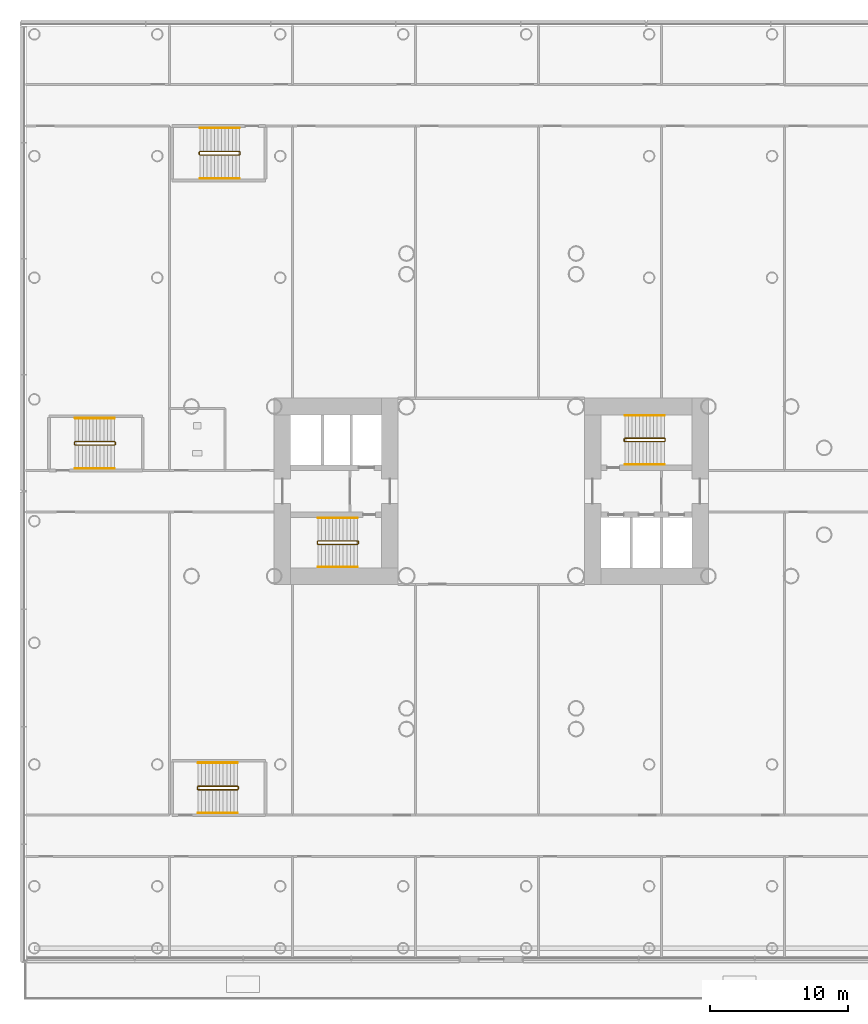
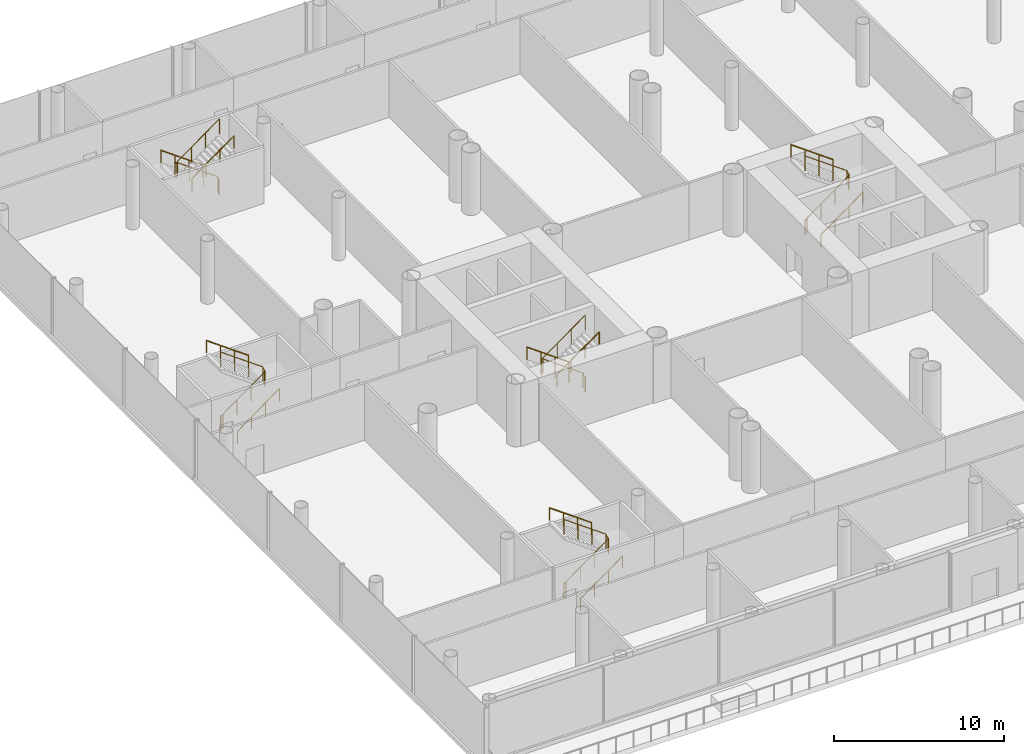
# One storey, part 48 of 51: 15 railings.
"""IFC4 building model written with IfcOpenShell, lengths in metres."""

from ifc_helpers import new_model, si_unit, direction, frame, origin, origin_2d, place, context, subcontext, project, spatial, circle, extrude, material, type_object, element, save


model = new_model("IFC4")

# Units and contexts
model_context = context("Model", 3, precision=1e-05, world=origin(), true_north=direction((0.0, 1.0)))
body_context = subcontext(model_context, "Body", "Model", "MODEL_VIEW")
ifc_project = project(units=[si_unit("LENGTHUNIT", "METRE"), si_unit("AREAUNIT", "SQUARE_METRE"), si_unit("VOLUMEUNIT", "CUBIC_METRE"), si_unit("PLANEANGLEUNIT", "RADIAN"), si_unit("MASSUNIT", "GRAM", prefix="KILO")], contexts=[model_context])

# Site, building, storey
site_placement = place(None, origin())
site = spatial("IfcSite", under=ifc_project, at=site_placement, CompositionType="ELEMENT")
building_placement = place(site_placement, origin())
building = spatial("IfcBuilding", under=site, at=building_placement, Name="Ipe Terrace Towers", CompositionType="ELEMENT")
storey_placement = place(building_placement, frame((0.0, 0.0, 15.5)))
storey = spatial("IfcBuildingStorey", under=building, at=storey_placement, Name="L03", CompositionType="ELEMENT", Elevation=15.5)

# Railings
ifc_material_1 = material(Name="Steel S355", Category="steel")
railing_type_1 = type_object("IfcRailingType", Name="Stair guard 1100", PredefinedType="GUARDRAIL", material=ifc_material_1)
railing_1_placement = place(storey_placement, frame((-26.35009765625, 3.800048828125, 0.0)))
element("IfcRailing", 1, at=railing_1_placement, inside=storey, type_object=railing_type_1, Name="L03 T1-ST1 stair guard 1", PredefinedType="GUARDRAIL", context=body_context, shape_type="SweptSolid", body=[
    extrude(circle(Radius=0.02392578125, at=origin_2d()), frame((0.0, 0.0, 1.076171875), z_axis=(0.0, -1.0, 0.0), x_axis=(1.0, 0.0, 0.0)), (0.0, 0.0, 1.0), 0.150146484375),
    extrude(circle(Radius=0.02392578125, at=origin_2d()), frame((0.0, -0.150146484375, 1.076171875), z_axis=(0.249802250048, -0.248583702486, 0.935844527007), x_axis=(0.705375805398, 0.708833529934, 0.0)), (0.0, 0.0, 1.0), 0.200439453125),
    extrude(circle(Radius=0.02392578125, at=origin_2d()), frame((0.050048828125, -0.199951171875, 1.263671875), z_axis=(0.811100754333, 0.0, 0.584906459462), x_axis=(0.0, 1.0, 0.0)), (0.0, 0.0, 1.0), 3.526123046875),
    extrude(circle(Radius=0.02392578125, at=origin_2d()), frame((2.91015625, -0.199951171875, 3.326171875), z_axis=(0.708833529934, 0.705375805398, 0.0), x_axis=(-0.705375805398, 0.708833529934, 0.0)), (0.0, 0.0, 1.0), 0.070556640625),
    extrude(circle(Radius=0.02392578125, at=origin_2d()), frame((2.960205078125, -0.150146484375, 3.326171875), z_axis=(0.0, 1.0, 0.0), x_axis=(-1.0, 0.0, 0.0)), (0.0, 0.0, 1.0), 0.150146484375),
    extrude(circle(Radius=0.02392578125, at=origin_2d()), frame((2.960205078125, 0.0, 3.326171875), z_axis=(-0.249726431254, 0.249726431254, 0.935560483917), x_axis=(-0.707106781187, -0.707106781187, 0.0)), (0.0, 0.0, 1.0), 0.200439453125),
    extrude(circle(Radius=0.02392578125, at=origin_2d()), frame((2.91015625, 0.050048828125, 3.513671875), z_axis=(-0.811100754333, 0.0, 0.584906459462), x_axis=(0.0, -1.0, 0.0)), (0.0, 0.0, 1.0), 3.526123046875),
    extrude(circle(Radius=0.02099609375, at=origin_2d()), origin(), (0.0, 0.0, 1.0), 1.052001953125),
    extrude(circle(Radius=0.02099609375, at=origin_2d()), frame((0.0, -0.150146484375, 0.0)), (0.0, 0.0, 1.0), 1.052001953125),
    extrude(circle(Radius=0.02099609375, at=origin_2d()), frame((0.050048828125, -0.199951171875, 0.1875)), (0.0, 0.0, 1.0), 1.052001953125),
    extrude(circle(Radius=0.02099609375, at=origin_2d()), frame((1.00341796875, -0.199951171875, 0.875)), (0.0, 0.0, 1.0), 1.052001953125),
    extrude(circle(Radius=0.02099609375, at=origin_2d()), frame((1.956787109375, -0.199951171875, 1.5625)), (0.0, 0.0, 1.0), 1.052001953125),
    extrude(circle(Radius=0.02099609375, at=origin_2d()), frame((2.91015625, -0.199951171875, 2.25)), (0.0, 0.0, 1.0), 1.052001953125),
    extrude(circle(Radius=0.02099609375, at=origin_2d()), frame((2.960205078125, -0.150146484375, 2.25)), (0.0, 0.0, 1.0), 1.052001953125),
    extrude(circle(Radius=0.02099609375, at=origin_2d()), frame((2.960205078125, 0.0, 2.25)), (0.0, 0.0, 1.0), 1.052001953125),
    extrude(circle(Radius=0.02099609375, at=origin_2d()), frame((2.91015625, 0.050048828125, 2.4375)), (0.0, 0.0, 1.0), 1.052001953125),
    extrude(circle(Radius=0.02099609375, at=origin_2d()), frame((1.956787109375, 0.050048828125, 3.125)), (0.0, 0.0, 1.0), 1.052001953125),
    extrude(circle(Radius=0.02099609375, at=origin_2d()), frame((1.00341796875, 0.050048828125, 3.8125)), (0.0, 0.0, 1.0), 1.052001953125),
    extrude(circle(Radius=0.02099609375, at=origin_2d()), frame((0.050048828125, 0.050048828125, 4.5)), (0.0, 0.0, 1.0), 1.052001953125),
])
railing_2_placement = place(storey_placement, frame((-45.64990234375, -3.800048828125, 0.0)))
element("IfcRailing", 2, at=railing_2_placement, inside=storey, type_object=railing_type_1, Name="L03 T1-ST2 stair guard 1", PredefinedType="GUARDRAIL", context=body_context, shape_type="SweptSolid", body=[
    extrude(circle(Radius=0.02392578125, at=origin_2d()), frame((0.0, 0.0, 1.076171875), z_axis=(0.0, 1.0, 0.0), x_axis=(-1.0, 0.0, 0.0)), (0.0, 0.0, 1.0), 0.150146484375),
    extrude(circle(Radius=0.02392578125, at=origin_2d()), frame((0.0, 0.150146484375, 1.076171875), z_axis=(-0.249802250048, 0.248583702486, 0.935844527007), x_axis=(-0.705375805398, -0.708833529934, 0.0)), (0.0, 0.0, 1.0), 0.200439453125),
    extrude(circle(Radius=0.02392578125, at=origin_2d()), frame((-0.050048828125, 0.199951171875, 1.263671875), z_axis=(-0.811100754333, 0.0, 0.584906459462), x_axis=(0.0, -1.0, 0.0)), (0.0, 0.0, 1.0), 3.526123046875),
    extrude(circle(Radius=0.02392578125, at=origin_2d()), frame((-2.91015625, 0.199951171875, 3.326171875), z_axis=(-0.708833529934, -0.705375805398, 0.0), x_axis=(0.705375805398, -0.708833529934, 0.0)), (0.0, 0.0, 1.0), 0.070556640625),
    extrude(circle(Radius=0.02392578125, at=origin_2d()), frame((-2.960205078125, 0.150146484375, 3.326171875), z_axis=(0.0, -1.0, 0.0), x_axis=(1.0, 0.0, 0.0)), (0.0, 0.0, 1.0), 0.150146484375),
    extrude(circle(Radius=0.02392578125, at=origin_2d()), frame((-2.960205078125, 0.0, 3.326171875), z_axis=(0.249726431254, -0.249726431254, 0.935560483917), x_axis=(0.707106781187, 0.707106781187, 0.0)), (0.0, 0.0, 1.0), 0.200439453125),
    extrude(circle(Radius=0.02392578125, at=origin_2d()), frame((-2.91015625, -0.050048828125, 3.513671875), z_axis=(0.811100754333, 0.0, 0.584906459462), x_axis=(0.0, 1.0, 0.0)), (0.0, 0.0, 1.0), 3.526123046875),
    extrude(circle(Radius=0.02099609375, at=origin_2d()), origin(), (0.0, 0.0, 1.0), 1.052001953125),
    extrude(circle(Radius=0.02099609375, at=origin_2d()), frame((0.0, 0.150146484375, 0.0)), (0.0, 0.0, 1.0), 1.052001953125),
    extrude(circle(Radius=0.02099609375, at=origin_2d()), frame((-0.050048828125, 0.199951171875, 0.1875)), (0.0, 0.0, 1.0), 1.052001953125),
    extrude(circle(Radius=0.02099609375, at=origin_2d()), frame((-1.00341796875, 0.199951171875, 0.875)), (0.0, 0.0, 1.0), 1.052001953125),
    extrude(circle(Radius=0.02099609375, at=origin_2d()), frame((-1.956787109375, 0.199951171875, 1.5625)), (0.0, 0.0, 1.0), 1.052001953125),
    extrude(circle(Radius=0.02099609375, at=origin_2d()), frame((-2.91015625, 0.199951171875, 2.25)), (0.0, 0.0, 1.0), 1.052001953125),
    extrude(circle(Radius=0.02099609375, at=origin_2d()), frame((-2.960205078125, 0.150146484375, 2.25)), (0.0, 0.0, 1.0), 1.052001953125),
    extrude(circle(Radius=0.02099609375, at=origin_2d()), frame((-2.960205078125, 0.0, 2.25)), (0.0, 0.0, 1.0), 1.052001953125),
    extrude(circle(Radius=0.02099609375, at=origin_2d()), frame((-2.91015625, -0.050048828125, 2.4375)), (0.0, 0.0, 1.0), 1.052001953125),
    extrude(circle(Radius=0.02099609375, at=origin_2d()), frame((-1.956787109375, -0.050048828125, 3.125)), (0.0, 0.0, 1.0), 1.052001953125),
    extrude(circle(Radius=0.02099609375, at=origin_2d()), frame((-1.00341796875, -0.050048828125, 3.8125)), (0.0, 0.0, 1.0), 1.052001953125),
    extrude(circle(Radius=0.02099609375, at=origin_2d()), frame((-0.050048828125, -0.050048828125, 4.5)), (0.0, 0.0, 1.0), 1.052001953125),
])
railing_3_placement = place(storey_placement, frame((-54.219970703125, 24.449951171875, 0.0)))
element("IfcRailing", 3, at=railing_3_placement, inside=storey, type_object=railing_type_1, Name="L03 PS1 stair guard 1", PredefinedType="GUARDRAIL", context=body_context, shape_type="SweptSolid", body=[
    extrude(circle(Radius=0.02392578125, at=origin_2d()), frame((0.0, 0.0, 1.076171875), z_axis=(0.0, 1.0, 0.0), x_axis=(-1.0, 0.0, 0.0)), (0.0, 0.0, 1.0), 0.150146484375),
    extrude(circle(Radius=0.02392578125, at=origin_2d()), frame((0.0, 0.150146484375, 1.076171875), z_axis=(-0.249802250048, 0.248583702486, 0.935844527007), x_axis=(-0.705375805398, -0.708833529934, 0.0)), (0.0, 0.0, 1.0), 0.200439453125),
    extrude(circle(Radius=0.02392578125, at=origin_2d()), frame((-0.050048828125, 0.199951171875, 1.263671875), z_axis=(-0.811077065594, 0.0, 0.584939307678), x_axis=(0.0, -1.0, 0.0)), (0.0, 0.0, 1.0), 3.526123046875),
    extrude(circle(Radius=0.02392578125, at=origin_2d()), frame((-2.909912109375, 0.199951171875, 3.326171875), z_axis=(-0.708833529934, -0.705375805398, 0.0), x_axis=(0.705375805398, -0.708833529934, 0.0)), (0.0, 0.0, 1.0), 0.070556640625),
    extrude(circle(Radius=0.02392578125, at=origin_2d()), frame((-2.9599609375, 0.150146484375, 3.326171875), z_axis=(0.0, -1.0, 0.0), x_axis=(1.0, 0.0, 0.0)), (0.0, 0.0, 1.0), 0.150146484375),
    extrude(circle(Radius=0.02392578125, at=origin_2d()), frame((-2.9599609375, 0.0, 3.326171875), z_axis=(0.249726431254, -0.249726431254, 0.935560483917), x_axis=(0.707106781187, 0.707106781187, 0.0)), (0.0, 0.0, 1.0), 0.200439453125),
    extrude(circle(Radius=0.02392578125, at=origin_2d()), frame((-2.909912109375, -0.050048828125, 3.513671875), z_axis=(0.811077065594, 0.0, 0.584939307678), x_axis=(0.0, 1.0, 0.0)), (0.0, 0.0, 1.0), 3.526123046875),
    extrude(circle(Radius=0.02099609375, at=origin_2d()), origin(), (0.0, 0.0, 1.0), 1.052001953125),
    extrude(circle(Radius=0.02099609375, at=origin_2d()), frame((0.0, 0.150146484375, 0.0)), (0.0, 0.0, 1.0), 1.052001953125),
    extrude(circle(Radius=0.02099609375, at=origin_2d()), frame((-0.050048828125, 0.199951171875, 0.1875)), (0.0, 0.0, 1.0), 1.052001953125),
    extrude(circle(Radius=0.02099609375, at=origin_2d()), frame((-1.00341796875, 0.199951171875, 0.875)), (0.0, 0.0, 1.0), 1.052001953125),
    extrude(circle(Radius=0.02099609375, at=origin_2d()), frame((-1.95654296875, 0.199951171875, 1.5625)), (0.0, 0.0, 1.0), 1.052001953125),
    extrude(circle(Radius=0.02099609375, at=origin_2d()), frame((-2.909912109375, 0.199951171875, 2.25)), (0.0, 0.0, 1.0), 1.052001953125),
    extrude(circle(Radius=0.02099609375, at=origin_2d()), frame((-2.9599609375, 0.150146484375, 2.25)), (0.0, 0.0, 1.0), 1.052001953125),
    extrude(circle(Radius=0.02099609375, at=origin_2d()), frame((-2.9599609375, 0.0, 2.25)), (0.0, 0.0, 1.0), 1.052001953125),
    extrude(circle(Radius=0.02099609375, at=origin_2d()), frame((-2.909912109375, -0.050048828125, 2.4375)), (0.0, 0.0, 1.0), 1.052001953125),
    extrude(circle(Radius=0.02099609375, at=origin_2d()), frame((-1.95654296875, -0.050048828125, 3.125)), (0.0, 0.0, 1.0), 1.052001953125),
    extrude(circle(Radius=0.02099609375, at=origin_2d()), frame((-1.00341796875, -0.050048828125, 3.8125)), (0.0, 0.0, 1.0), 1.052001953125),
    extrude(circle(Radius=0.02099609375, at=origin_2d()), frame((-0.050048828125, -0.050048828125, 4.5)), (0.0, 0.0, 1.0), 1.052001953125),
])
railing_4_placement = place(storey_placement, frame((-57.320068359375, -21.449951171875, 0.0)))
element("IfcRailing", 4, at=railing_4_placement, inside=storey, type_object=railing_type_1, Name="L03 PS4 stair guard 1", PredefinedType="GUARDRAIL", context=body_context, shape_type="SweptSolid", body=[
    extrude(circle(Radius=0.02392578125, at=origin_2d()), frame((0.0, 0.0, 1.076171875), z_axis=(0.0, -1.0, 0.0), x_axis=(1.0, 0.0, 0.0)), (0.0, 0.0, 1.0), 0.150146484375),
    extrude(circle(Radius=0.02392578125, at=origin_2d()), frame((0.0, -0.150146484375, 1.076171875), z_axis=(0.249802250048, -0.248583702486, 0.935844527007), x_axis=(0.705375805398, 0.708833529934, 0.0)), (0.0, 0.0, 1.0), 0.200439453125),
    extrude(circle(Radius=0.02392578125, at=origin_2d()), frame((0.050048828125, -0.199951171875, 1.263671875), z_axis=(0.811100754333, 0.0, 0.584906459462), x_axis=(0.0, 1.0, 0.0)), (0.0, 0.0, 1.0), 3.526123046875),
    extrude(circle(Radius=0.02392578125, at=origin_2d()), frame((2.91015625, -0.199951171875, 3.326171875), z_axis=(0.707106781187, 0.707106781187, 0.0), x_axis=(-0.707106781187, 0.707106781187, 0.0)), (0.0, 0.0, 1.0), 0.0703125),
    extrude(circle(Radius=0.02392578125, at=origin_2d()), frame((2.9599609375, -0.150146484375, 3.326171875), z_axis=(0.0, 1.0, 0.0), x_axis=(-1.0, 0.0, 0.0)), (0.0, 0.0, 1.0), 0.150146484375),
    extrude(circle(Radius=0.02392578125, at=origin_2d()), frame((2.9599609375, 0.0, 3.326171875), z_axis=(-0.248583702486, 0.249802250048, 0.935844527007), x_axis=(-0.708833529934, -0.705375805398, 0.0)), (0.0, 0.0, 1.0), 0.200439453125),
    extrude(circle(Radius=0.02392578125, at=origin_2d()), frame((2.91015625, 0.050048828125, 3.513671875), z_axis=(-0.811100754333, 0.0, 0.584906459462), x_axis=(0.0, -1.0, 0.0)), (0.0, 0.0, 1.0), 3.526123046875),
    extrude(circle(Radius=0.02099609375, at=origin_2d()), origin(), (0.0, 0.0, 1.0), 1.052001953125),
    extrude(circle(Radius=0.02099609375, at=origin_2d()), frame((0.0, -0.150146484375, 0.0)), (0.0, 0.0, 1.0), 1.052001953125),
    extrude(circle(Radius=0.02099609375, at=origin_2d()), frame((0.050048828125, -0.199951171875, 0.1875)), (0.0, 0.0, 1.0), 1.052001953125),
    extrude(circle(Radius=0.02099609375, at=origin_2d()), frame((1.00341796875, -0.199951171875, 0.875)), (0.0, 0.0, 1.0), 1.052001953125),
    extrude(circle(Radius=0.02099609375, at=origin_2d()), frame((1.956787109375, -0.199951171875, 1.5625)), (0.0, 0.0, 1.0), 1.052001953125),
    extrude(circle(Radius=0.02099609375, at=origin_2d()), frame((2.91015625, -0.199951171875, 2.25)), (0.0, 0.0, 1.0), 1.052001953125),
    extrude(circle(Radius=0.02099609375, at=origin_2d()), frame((2.9599609375, -0.150146484375, 2.25)), (0.0, 0.0, 1.0), 1.052001953125),
    extrude(circle(Radius=0.02099609375, at=origin_2d()), frame((2.9599609375, 0.0, 2.25)), (0.0, 0.0, 1.0), 1.052001953125),
    extrude(circle(Radius=0.02099609375, at=origin_2d()), frame((2.91015625, 0.050048828125, 2.4375)), (0.0, 0.0, 1.0), 1.052001953125),
    extrude(circle(Radius=0.02099609375, at=origin_2d()), frame((1.956787109375, 0.050048828125, 3.125)), (0.0, 0.0, 1.0), 1.052001953125),
    extrude(circle(Radius=0.02099609375, at=origin_2d()), frame((1.00341796875, 0.050048828125, 3.8125)), (0.0, 0.0, 1.0), 1.052001953125),
    extrude(circle(Radius=0.02099609375, at=origin_2d()), frame((0.050048828125, 0.050048828125, 4.5)), (0.0, 0.0, 1.0), 1.052001953125),
])
railing_5_placement = place(storey_placement, frame((-66.239990234375, 3.550048828125, 0.0)))
element("IfcRailing", 5, at=railing_5_placement, inside=storey, type_object=railing_type_1, Name="L03 PS7 stair guard 1", PredefinedType="GUARDRAIL", context=body_context, shape_type="SweptSolid", body=[
    extrude(circle(Radius=0.02392578125, at=origin_2d()), frame((0.0, 0.0, 1.076171875), z_axis=(0.0, -1.0, 0.0), x_axis=(1.0, 0.0, 0.0)), (0.0, 0.0, 1.0), 0.150146484375),
    extrude(circle(Radius=0.02392578125, at=origin_2d()), frame((0.0, -0.150146484375, 1.076171875), z_axis=(0.249802250048, -0.248583702486, 0.935844527007), x_axis=(0.705375805398, 0.708833529934, 0.0)), (0.0, 0.0, 1.0), 0.200439453125),
    extrude(circle(Radius=0.02392578125, at=origin_2d()), frame((0.050048828125, -0.199951171875, 1.263671875), z_axis=(0.811077065594, 0.0, 0.584939307678), x_axis=(0.0, 1.0, 0.0)), (0.0, 0.0, 1.0), 3.526123046875),
    extrude(circle(Radius=0.02392578125, at=origin_2d()), frame((2.909912109375, -0.199951171875, 3.326171875), z_axis=(0.708833529934, 0.705375805398, 0.0), x_axis=(-0.705375805398, 0.708833529934, 0.0)), (0.0, 0.0, 1.0), 0.070556640625),
    extrude(circle(Radius=0.02392578125, at=origin_2d()), frame((2.9599609375, -0.150146484375, 3.326171875), z_axis=(0.0, 1.0, 0.0), x_axis=(-1.0, 0.0, 0.0)), (0.0, 0.0, 1.0), 0.150146484375),
    extrude(circle(Radius=0.02392578125, at=origin_2d()), frame((2.9599609375, 0.0, 3.326171875), z_axis=(-0.249726431254, 0.249726431254, 0.935560483917), x_axis=(-0.707106781187, -0.707106781187, 0.0)), (0.0, 0.0, 1.0), 0.200439453125),
    extrude(circle(Radius=0.02392578125, at=origin_2d()), frame((2.909912109375, 0.050048828125, 3.513671875), z_axis=(-0.811077065594, 0.0, 0.584939307678), x_axis=(0.0, -1.0, 0.0)), (0.0, 0.0, 1.0), 3.526123046875),
    extrude(circle(Radius=0.02099609375, at=origin_2d()), origin(), (0.0, 0.0, 1.0), 1.052001953125),
    extrude(circle(Radius=0.02099609375, at=origin_2d()), frame((0.0, -0.150146484375, 0.0)), (0.0, 0.0, 1.0), 1.052001953125),
    extrude(circle(Radius=0.02099609375, at=origin_2d()), frame((0.050048828125, -0.199951171875, 0.1875)), (0.0, 0.0, 1.0), 1.052001953125),
    extrude(circle(Radius=0.02099609375, at=origin_2d()), frame((1.00341796875, -0.199951171875, 0.875)), (0.0, 0.0, 1.0), 1.052001953125),
    extrude(circle(Radius=0.02099609375, at=origin_2d()), frame((1.95654296875, -0.199951171875, 1.5625)), (0.0, 0.0, 1.0), 1.052001953125),
    extrude(circle(Radius=0.02099609375, at=origin_2d()), frame((2.909912109375, -0.199951171875, 2.25)), (0.0, 0.0, 1.0), 1.052001953125),
    extrude(circle(Radius=0.02099609375, at=origin_2d()), frame((2.9599609375, -0.150146484375, 2.25)), (0.0, 0.0, 1.0), 1.052001953125),
    extrude(circle(Radius=0.02099609375, at=origin_2d()), frame((2.9599609375, 0.0, 2.25)), (0.0, 0.0, 1.0), 1.052001953125),
    extrude(circle(Radius=0.02099609375, at=origin_2d()), frame((2.909912109375, 0.050048828125, 2.4375)), (0.0, 0.0, 1.0), 1.052001953125),
    extrude(circle(Radius=0.02099609375, at=origin_2d()), frame((1.95654296875, 0.050048828125, 3.125)), (0.0, 0.0, 1.0), 1.052001953125),
    extrude(circle(Radius=0.02099609375, at=origin_2d()), frame((1.00341796875, 0.050048828125, 3.8125)), (0.0, 0.0, 1.0), 1.052001953125),
    extrude(circle(Radius=0.02099609375, at=origin_2d()), frame((0.050048828125, 0.050048828125, 4.5)), (0.0, 0.0, 1.0), 1.052001953125),
])
ifc_material_2 = material(Name="Stainless steel grade 304", Category="steel")
railing_type_2 = type_object("IfcRailingType", Name="Stair handrail 900", PredefinedType="HANDRAIL", material=ifc_material_2)
railing_6_placement = place(storey_placement, frame((-26.300048828125, 1.949951171875, 0.1875)))
element("IfcRailing", 6, at=railing_6_placement, inside=storey, type_object=railing_type_2, Name="L03 T1-ST1 stair handrail 1", PredefinedType="HANDRAIL", context=body_context, shape_type="SweptSolid", body=[
    extrude(circle(Radius=0.02392578125, at=origin_2d()), frame((0.0, 0.0, 0.8759765625), z_axis=(0.811100754333, 0.0, 0.584906459462), x_axis=(0.0, 1.0, 0.0)), (0.0, 0.0, 1.0), 3.526123046875),
    extrude(circle(Radius=0.02099609375, at=origin_2d()), origin(), (0.0, 0.0, 1.0), 0.851806640625),
    extrude(circle(Radius=0.02099609375, at=origin_2d()), frame((0.953369140625, 0.0, 0.6875)), (0.0, 0.0, 1.0), 0.851806640625),
    extrude(circle(Radius=0.02099609375, at=origin_2d()), frame((1.90673828125, 0.0, 1.375)), (0.0, 0.0, 1.0), 0.851806640625),
    extrude(circle(Radius=0.02099609375, at=origin_2d()), frame((2.860107421875, 0.0, 2.0625)), (0.0, 0.0, 1.0), 0.851806640625),
])
for number, where, name in (
    (7, (-23.43994140625, 5.5, 2.4375), "L03 T1-ST1 stair handrail 2"),
    (8, (-45.699951171875, -1.949951171875, 0.1875), "L03 T1-ST2 stair handrail 1"),
):
    element("IfcRailing", number, at=place(storey_placement, frame(where)), inside=storey, type_object=railing_type_2, Name=name, PredefinedType="HANDRAIL", context=body_context, shape_type="SweptSolid", body=[
        extrude(circle(Radius=0.02392578125, at=origin_2d()), frame((0.0, 0.0, 0.8759765625), z_axis=(-0.811100754333, 0.0, 0.584906459462), x_axis=(0.0, -1.0, 0.0)), (0.0, 0.0, 1.0), 3.526123046875),
        extrude(circle(Radius=0.02099609375, at=origin_2d()), origin(), (0.0, 0.0, 1.0), 0.851806640625),
        extrude(circle(Radius=0.02099609375, at=origin_2d()), frame((-0.953369140625, 0.0, 0.6875)), (0.0, 0.0, 1.0), 0.851806640625),
        extrude(circle(Radius=0.02099609375, at=origin_2d()), frame((-1.90673828125, 0.0, 1.375)), (0.0, 0.0, 1.0), 0.851806640625),
        extrude(circle(Radius=0.02099609375, at=origin_2d()), frame((-2.860107421875, 0.0, 2.0625)), (0.0, 0.0, 1.0), 0.851806640625),
    ])
railing_7_placement = place(storey_placement, frame((-48.56005859375, -5.5, 2.4375)))
element("IfcRailing", 9, at=railing_7_placement, inside=storey, type_object=railing_type_2, Name="L03 T1-ST2 stair handrail 2", PredefinedType="HANDRAIL", context=body_context, shape_type="SweptSolid", body=[
    extrude(circle(Radius=0.02392578125, at=origin_2d()), frame((0.0, 0.0, 0.8759765625), z_axis=(0.811100754333, 0.0, 0.584906459462), x_axis=(0.0, 1.0, 0.0)), (0.0, 0.0, 1.0), 3.526123046875),
    extrude(circle(Radius=0.02099609375, at=origin_2d()), origin(), (0.0, 0.0, 1.0), 0.851806640625),
    extrude(circle(Radius=0.02099609375, at=origin_2d()), frame((0.953369140625, 0.0, 0.6875)), (0.0, 0.0, 1.0), 0.851806640625),
    extrude(circle(Radius=0.02099609375, at=origin_2d()), frame((1.90673828125, 0.0, 1.375)), (0.0, 0.0, 1.0), 0.851806640625),
    extrude(circle(Radius=0.02099609375, at=origin_2d()), frame((2.860107421875, 0.0, 2.0625)), (0.0, 0.0, 1.0), 0.851806640625),
])
railing_8_placement = place(storey_placement, frame((-54.27001953125, 26.35009765625, 0.1875)))
element("IfcRailing", 10, at=railing_8_placement, inside=storey, type_object=railing_type_2, Name="L03 PS1 stair handrail 1", PredefinedType="HANDRAIL", context=body_context, shape_type="SweptSolid", body=[
    extrude(circle(Radius=0.02392578125, at=origin_2d()), frame((0.0, 0.0, 0.8759765625), z_axis=(-0.811077065594, 0.0, 0.584939307678), x_axis=(0.0, -1.0, 0.0)), (0.0, 0.0, 1.0), 3.526123046875),
    extrude(circle(Radius=0.02099609375, at=origin_2d()), origin(), (0.0, 0.0, 1.0), 0.851806640625),
    extrude(circle(Radius=0.02099609375, at=origin_2d()), frame((-0.953369140625, 0.0, 0.6875)), (0.0, 0.0, 1.0), 0.851806640625),
    extrude(circle(Radius=0.02099609375, at=origin_2d()), frame((-1.906494140625, 0.0, 1.375)), (0.0, 0.0, 1.0), 0.851806640625),
    extrude(circle(Radius=0.02099609375, at=origin_2d()), frame((-2.85986328125, 0.0, 2.0625)), (0.0, 0.0, 1.0), 0.851806640625),
])
railing_9_placement = place(storey_placement, frame((-57.1298828125, 22.699951171875, 2.4375)))
element("IfcRailing", 11, at=railing_9_placement, inside=storey, type_object=railing_type_2, Name="L03 PS1 stair handrail 2", PredefinedType="HANDRAIL", context=body_context, shape_type="SweptSolid", body=[
    extrude(circle(Radius=0.02392578125, at=origin_2d()), frame((0.0, 0.0, 0.8759765625), z_axis=(0.811077065594, 0.0, 0.584939307678), x_axis=(0.0, 1.0, 0.0)), (0.0, 0.0, 1.0), 3.526123046875),
    extrude(circle(Radius=0.02099609375, at=origin_2d()), origin(), (0.0, 0.0, 1.0), 0.851806640625),
    extrude(circle(Radius=0.02099609375, at=origin_2d()), frame((0.953369140625, 0.0, 0.6875)), (0.0, 0.0, 1.0), 0.851806640625),
    extrude(circle(Radius=0.02099609375, at=origin_2d()), frame((1.906494140625, 0.0, 1.375)), (0.0, 0.0, 1.0), 0.851806640625),
    extrude(circle(Radius=0.02099609375, at=origin_2d()), frame((2.85986328125, 0.0, 2.0625)), (0.0, 0.0, 1.0), 0.851806640625),
])
railing_10_placement = place(storey_placement, frame((-57.27001953125, -23.35009765625, 0.1875)))
element("IfcRailing", 12, at=railing_10_placement, inside=storey, type_object=railing_type_2, Name="L03 PS4 stair handrail 1", PredefinedType="HANDRAIL", context=body_context, shape_type="SweptSolid", body=[
    extrude(circle(Radius=0.02392578125, at=origin_2d()), frame((0.0, 0.0, 0.8759765625), z_axis=(0.811100754333, 0.0, 0.584906459462), x_axis=(0.0, 1.0, 0.0)), (0.0, 0.0, 1.0), 3.526123046875),
    extrude(circle(Radius=0.02099609375, at=origin_2d()), origin(), (0.0, 0.0, 1.0), 0.851806640625),
    extrude(circle(Radius=0.02099609375, at=origin_2d()), frame((0.953369140625, 0.0, 0.6875)), (0.0, 0.0, 1.0), 0.851806640625),
    extrude(circle(Radius=0.02099609375, at=origin_2d()), frame((1.90673828125, 0.0, 1.375)), (0.0, 0.0, 1.0), 0.851806640625),
    extrude(circle(Radius=0.02099609375, at=origin_2d()), frame((2.860107421875, 0.0, 2.0625)), (0.0, 0.0, 1.0), 0.851806640625),
])
railing_11_placement = place(storey_placement, frame((-54.409912109375, -19.699951171875, 2.4375)))
element("IfcRailing", 13, at=railing_11_placement, inside=storey, type_object=railing_type_2, Name="L03 PS4 stair handrail 2", PredefinedType="HANDRAIL", context=body_context, shape_type="SweptSolid", body=[
    extrude(circle(Radius=0.02392578125, at=origin_2d()), frame((0.0, 0.0, 0.8759765625), z_axis=(-0.811100754333, 0.0, 0.584906459462), x_axis=(0.0, -1.0, 0.0)), (0.0, 0.0, 1.0), 3.526123046875),
    extrude(circle(Radius=0.02099609375, at=origin_2d()), origin(), (0.0, 0.0, 1.0), 0.851806640625),
    extrude(circle(Radius=0.02099609375, at=origin_2d()), frame((-0.953369140625, 0.0, 0.6875)), (0.0, 0.0, 1.0), 0.851806640625),
    extrude(circle(Radius=0.02099609375, at=origin_2d()), frame((-1.90673828125, 0.0, 1.375)), (0.0, 0.0, 1.0), 0.851806640625),
    extrude(circle(Radius=0.02099609375, at=origin_2d()), frame((-2.860107421875, 0.0, 2.0625)), (0.0, 0.0, 1.0), 0.851806640625),
])
railing_12_placement = place(storey_placement, frame((-66.18994140625, 1.64990234375, 0.1875)))
element("IfcRailing", 14, at=railing_12_placement, inside=storey, type_object=railing_type_2, Name="L03 PS7 stair handrail 1", PredefinedType="HANDRAIL", context=body_context, shape_type="SweptSolid", body=[
    extrude(circle(Radius=0.02392578125, at=origin_2d()), frame((0.0, 0.0, 0.8759765625), z_axis=(0.811077065594, 0.0, 0.584939307678), x_axis=(0.0, 1.0, 0.0)), (0.0, 0.0, 1.0), 3.526123046875),
    extrude(circle(Radius=0.02099609375, at=origin_2d()), origin(), (0.0, 0.0, 1.0), 0.851806640625),
    extrude(circle(Radius=0.02099609375, at=origin_2d()), frame((0.953369140625, 0.0, 0.6875)), (0.0, 0.0, 1.0), 0.851806640625),
    extrude(circle(Radius=0.02099609375, at=origin_2d()), frame((1.906494140625, 0.0, 1.375)), (0.0, 0.0, 1.0), 0.851806640625),
    extrude(circle(Radius=0.02099609375, at=origin_2d()), frame((2.85986328125, 0.0, 2.0625)), (0.0, 0.0, 1.0), 0.851806640625),
])
railing_13_placement = place(storey_placement, frame((-63.330078125, 5.300048828125, 2.4375)))
element("IfcRailing", 15, at=railing_13_placement, inside=storey, type_object=railing_type_2, Name="L03 PS7 stair handrail 2", PredefinedType="HANDRAIL", context=body_context, shape_type="SweptSolid", body=[
    extrude(circle(Radius=0.02392578125, at=origin_2d()), frame((0.0, 0.0, 0.8759765625), z_axis=(-0.811077065594, 0.0, 0.584939307678), x_axis=(0.0, -1.0, 0.0)), (0.0, 0.0, 1.0), 3.526123046875),
    extrude(circle(Radius=0.02099609375, at=origin_2d()), origin(), (0.0, 0.0, 1.0), 0.851806640625),
    extrude(circle(Radius=0.02099609375, at=origin_2d()), frame((-0.953369140625, 0.0, 0.6875)), (0.0, 0.0, 1.0), 0.851806640625),
    extrude(circle(Radius=0.02099609375, at=origin_2d()), frame((-1.906494140625, 0.0, 1.375)), (0.0, 0.0, 1.0), 0.851806640625),
    extrude(circle(Radius=0.02099609375, at=origin_2d()), frame((-2.85986328125, 0.0, 2.0625)), (0.0, 0.0, 1.0), 0.851806640625),
])

save(model, "model.ifc")
